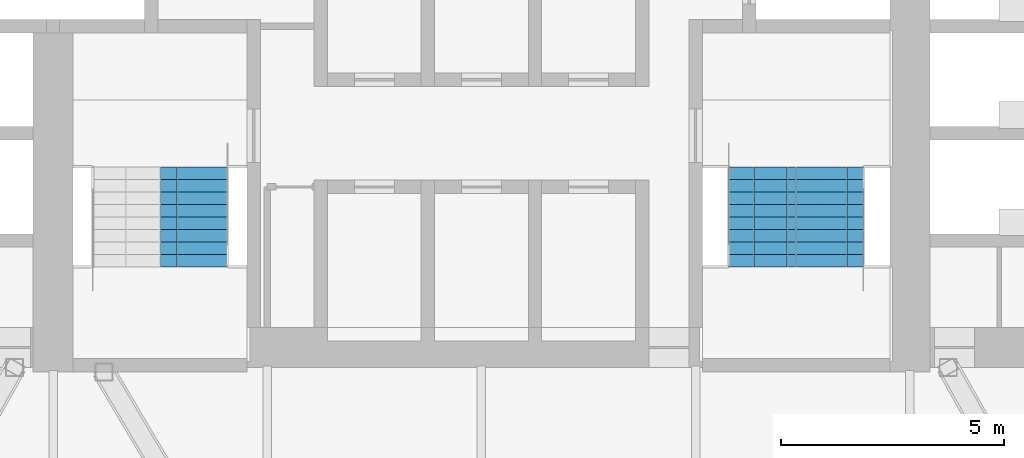
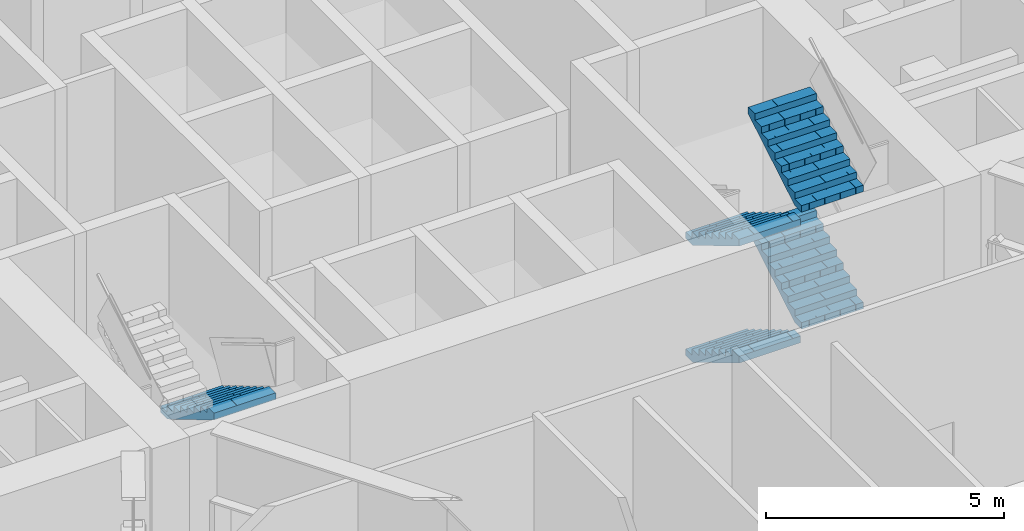
# One storey, part 21 of 27: 5 stair flights, 2 elements without a shape of their own.
"""IFC4 building model written with IfcOpenShell, lengths in metres."""

from ifc_helpers import new_model, si_unit, direction, frame, origin, place, context, subcontext, project, spatial, polyline, outline, extrude, material, type_object, element, aggregate, save


model = new_model("IFC4")

# Units and contexts
model_context = context("Model", 3, precision=1e-05, world=origin(), true_north=direction((0.0, 1.0)))
body_context = subcontext(model_context, "Body", "Model", "MODEL_VIEW")
ifc_project = project(units=[si_unit("LENGTHUNIT", "METRE"), si_unit("AREAUNIT", "SQUARE_METRE"), si_unit("VOLUMEUNIT", "CUBIC_METRE"), si_unit("PLANEANGLEUNIT", "RADIAN"), si_unit("MASSUNIT", "GRAM", prefix="KILO")], contexts=[model_context])

# Site, building, storey
site_placement = place(None, origin())
site = spatial("IfcSite", under=ifc_project, at=site_placement, CompositionType="ELEMENT")
building_placement = place(site_placement, origin())
building = spatial("IfcBuilding", under=site, at=building_placement, Name="Kolab Exchange Tower", CompositionType="ELEMENT")
storey_placement = place(building_placement, frame((0.0, 0.0, 127.39990234375)))
storey = spatial("IfcBuildingStorey", under=building, at=storey_placement, Name="L25", CompositionType="ELEMENT", Elevation=127.39990234375)

# Stair, stair flight
ifc_material = material(Name="Concrete C50/60", Category="concrete")
stair_type_1 = type_object("IfcStairType", Name="STAIR ST3 RISER 166.7", PredefinedType="DOUBLE_RETURN_STAIR", material=ifc_material)
stair_1_placement = place(storey_placement, origin())
stair_1 = element("IfcStair", 1, at=stair_1_placement, inside=storey, type_object=stair_type_1, Name="Stair 3", PredefinedType="DOUBLE_RETURN_STAIR")
stair_flight_type = type_object("IfcStairFlightType", Name="STAIR FLIGHT 1500 RISER 166.7", PredefinedType="STRAIGHT", material=ifc_material)
stair_flight_1_placement = place(storey_placement, frame((-6.43994140625, -5.550048828125, 3.0), z_axis=(0.0, 0.0, 1.0), x_axis=(0.0, -1.0, 0.0)))
stair_flight_1 = element("IfcStairFlight", 2, at=stair_flight_1_placement, type_object=stair_flight_type, Name="ST3 flight 3", NumberOfRisers=9, NumberOfTreads=8, PredefinedType="STRAIGHT", RiserHeight=0.166666667, TreadLength=0.28, context=body_context, shape_type="SweptSolid", body=[
    extrude(outline(polyline([(0.0, 0.0), (0.0, 0.166748046875), (0.280029296875, 0.166748046875), (0.280029296875, 0.333251953125), (0.56005859375, 0.333251953125), (0.56005859375, 0.5), (0.840087890625, 0.5), (0.840087890625, 0.666748046875), (1.1201171875, 0.666748046875), (1.1201171875, 0.833251953125), (1.39990234375, 0.833251953125), (1.39990234375, 1.0), (1.679931640625, 1.0), (1.679931640625, 1.166748046875), (1.9599609375, 1.166748046875), (1.9599609375, 1.333251953125), (2.239990234375, 1.333251953125), (2.239990234375, 1.5), (2.239990234375, 1.158935546875), (0.29296875, 0.0), (0.0, 0.0)])), frame((0.0, 0.75, 0.0), z_axis=(0.0, -1.0, 0.0), x_axis=(1.0, 0.0, 0.0)), (0.0, 0.0, 1.0), 0.185791015625),
    extrude(outline(polyline([(0.0, 0.0), (0.0, 0.166748046875), (0.280029296875, 0.166748046875), (0.280029296875, 0.333251953125), (0.56005859375, 0.333251953125), (0.56005859375, 0.5), (0.840087890625, 0.5), (0.840087890625, 0.666748046875), (1.1201171875, 0.666748046875), (1.1201171875, 0.833251953125), (1.39990234375, 0.833251953125), (1.39990234375, 1.0), (1.679931640625, 1.0), (1.679931640625, 1.166748046875), (1.9599609375, 1.166748046875), (1.9599609375, 1.333251953125), (2.239990234375, 1.333251953125), (2.239990234375, 1.5), (2.239990234375, 1.158935546875), (0.29296875, 0.0), (0.0, 0.0)])), frame((0.0, 0.562255859375, 0.0), z_axis=(0.0, -1.0, 0.0), x_axis=(1.0, 0.0, 0.0)), (0.0, 0.0, 1.0), 0.185791015625),
    extrude(outline(polyline([(0.0, 0.0), (0.0, 0.166748046875), (0.280029296875, 0.166748046875), (0.280029296875, 0.333251953125), (0.56005859375, 0.333251953125), (0.56005859375, 0.5), (0.840087890625, 0.5), (0.840087890625, 0.666748046875), (1.1201171875, 0.666748046875), (1.1201171875, 0.833251953125), (1.39990234375, 0.833251953125), (1.39990234375, 1.0), (1.679931640625, 1.0), (1.679931640625, 1.166748046875), (1.9599609375, 1.166748046875), (1.9599609375, 1.333251953125), (2.239990234375, 1.333251953125), (2.239990234375, 1.5), (2.239990234375, 1.158935546875), (0.29296875, 0.0), (0.0, 0.0)])), frame((0.0, 0.37451171875, 0.0), z_axis=(0.0, -1.0, 0.0), x_axis=(1.0, 0.0, 0.0)), (0.0, 0.0, 1.0), 0.185791015625),
    extrude(outline(polyline([(0.0, 0.0), (0.0, 0.166748046875), (0.280029296875, 0.166748046875), (0.280029296875, 0.333251953125), (0.56005859375, 0.333251953125), (0.56005859375, 0.5), (0.840087890625, 0.5), (0.840087890625, 0.666748046875), (1.1201171875, 0.666748046875), (1.1201171875, 0.833251953125), (1.39990234375, 0.833251953125), (1.39990234375, 1.0), (1.679931640625, 1.0), (1.679931640625, 1.166748046875), (1.9599609375, 1.166748046875), (1.9599609375, 1.333251953125), (2.239990234375, 1.333251953125), (2.239990234375, 1.5), (2.239990234375, 1.158935546875), (0.29296875, 0.0), (0.0, 0.0)])), frame((0.0, 0.186767578125, 0.0), z_axis=(0.0, -1.0, 0.0), x_axis=(1.0, 0.0, 0.0)), (0.0, 0.0, 1.0), 0.185791015625),
    extrude(outline(polyline([(0.0, 0.0), (0.0, 0.166748046875), (0.280029296875, 0.166748046875), (0.280029296875, 0.333251953125), (0.56005859375, 0.333251953125), (0.56005859375, 0.5), (0.840087890625, 0.5), (0.840087890625, 0.666748046875), (1.1201171875, 0.666748046875), (1.1201171875, 0.833251953125), (1.39990234375, 0.833251953125), (1.39990234375, 1.0), (1.679931640625, 1.0), (1.679931640625, 1.166748046875), (1.9599609375, 1.166748046875), (1.9599609375, 1.333251953125), (2.239990234375, 1.333251953125), (2.239990234375, 1.5), (2.239990234375, 1.158935546875), (0.29296875, 0.0), (0.0, 0.0)])), frame((0.0, -0.0009765625, 0.0), z_axis=(0.0, -1.0, 0.0), x_axis=(1.0, 0.0, 0.0)), (0.0, 0.0, 1.0), 0.185791015625),
    extrude(outline(polyline([(0.0, 0.0), (0.0, 0.166748046875), (0.280029296875, 0.166748046875), (0.280029296875, 0.333251953125), (0.56005859375, 0.333251953125), (0.56005859375, 0.5), (0.840087890625, 0.5), (0.840087890625, 0.666748046875), (1.1201171875, 0.666748046875), (1.1201171875, 0.833251953125), (1.39990234375, 0.833251953125), (1.39990234375, 1.0), (1.679931640625, 1.0), (1.679931640625, 1.166748046875), (1.9599609375, 1.166748046875), (1.9599609375, 1.333251953125), (2.239990234375, 1.333251953125), (2.239990234375, 1.5), (2.239990234375, 1.158935546875), (0.29296875, 0.0), (0.0, 0.0)])), frame((0.0, -0.188720703125, 0.0), z_axis=(0.0, -1.0, 0.0), x_axis=(1.0, 0.0, 0.0)), (0.0, 0.0, 1.0), 0.185791015625),
    extrude(outline(polyline([(0.0, 0.0), (0.0, 0.166748046875), (0.280029296875, 0.166748046875), (0.280029296875, 0.333251953125), (0.56005859375, 0.333251953125), (0.56005859375, 0.5), (0.840087890625, 0.5), (0.840087890625, 0.666748046875), (1.1201171875, 0.666748046875), (1.1201171875, 0.833251953125), (1.39990234375, 0.833251953125), (1.39990234375, 1.0), (1.679931640625, 1.0), (1.679931640625, 1.166748046875), (1.9599609375, 1.166748046875), (1.9599609375, 1.333251953125), (2.239990234375, 1.333251953125), (2.239990234375, 1.5), (2.239990234375, 1.158935546875), (0.29296875, 0.0), (0.0, 0.0)])), frame((0.0, -0.37646484375, 0.0), z_axis=(0.0, -1.0, 0.0), x_axis=(1.0, 0.0, 0.0)), (0.0, 0.0, 1.0), 0.185791015625),
    extrude(outline(polyline([(0.0, 0.0), (0.0, 0.166748046875), (0.280029296875, 0.166748046875), (0.280029296875, 0.333251953125), (0.56005859375, 0.333251953125), (0.56005859375, 0.5), (0.840087890625, 0.5), (0.840087890625, 0.666748046875), (1.1201171875, 0.666748046875), (1.1201171875, 0.833251953125), (1.39990234375, 0.833251953125), (1.39990234375, 1.0), (1.679931640625, 1.0), (1.679931640625, 1.166748046875), (1.9599609375, 1.166748046875), (1.9599609375, 1.333251953125), (2.239990234375, 1.333251953125), (2.239990234375, 1.5), (2.239990234375, 1.158935546875), (0.29296875, 0.0), (0.0, 0.0)])), frame((0.0, -0.564208984375, 0.0), z_axis=(0.0, -1.0, 0.0), x_axis=(1.0, 0.0, 0.0)), (0.0, 0.0, 1.0), 0.185791015625),
])
aggregate(stair_1, [stair_flight_1])

# Stair, stair flights
stair_type_2 = type_object("IfcStairType", Name="STAIR ST2 RISER 166.7", PredefinedType="DOUBLE_RETURN_STAIR", material=ifc_material)
stair_2_placement = place(storey_placement, origin())
stair_2 = element("IfcStair", 3, at=stair_2_placement, inside=storey, type_object=stair_type_2, Name="Stair 2", PredefinedType="DOUBLE_RETURN_STAIR")
stair_flight_2_placement = place(storey_placement, frame((6.2900390625, -5.550048828125, 0.0), z_axis=(0.0, 0.0, 1.0), x_axis=(0.0, -1.0, 0.0)))
stair_flight_2 = element("IfcStairFlight", 4, at=stair_flight_2_placement, type_object=stair_flight_type, Name="ST2 flight 1", NumberOfRisers=9, NumberOfTreads=8, PredefinedType="STRAIGHT", RiserHeight=0.166666667, TreadLength=0.28, context=body_context, shape_type="SweptSolid", body=[
    extrude(outline(polyline([(0.0, 0.0), (0.0, 0.166748046875), (0.280029296875, 0.166748046875), (0.280029296875, 0.333251953125), (0.56005859375, 0.333251953125), (0.56005859375, 0.5), (0.840087890625, 0.5), (0.840087890625, 0.666748046875), (1.1201171875, 0.666748046875), (1.1201171875, 0.833251953125), (1.39990234375, 0.833251953125), (1.39990234375, 1.0), (1.679931640625, 1.0), (1.679931640625, 1.166748046875), (1.9599609375, 1.166748046875), (1.9599609375, 1.333251953125), (2.239990234375, 1.333251953125), (2.239990234375, 1.5), (2.239990234375, 1.158935546875), (0.29296875, 0.0), (0.0, 0.0)])), frame((0.0, 0.75, 0.0), z_axis=(0.0, -1.0, 0.0), x_axis=(1.0, 0.0, 0.0)), (0.0, 0.0, 1.0), 0.185791015625),
    extrude(outline(polyline([(0.0, 0.0), (0.0, 0.166748046875), (0.280029296875, 0.166748046875), (0.280029296875, 0.333251953125), (0.56005859375, 0.333251953125), (0.56005859375, 0.5), (0.840087890625, 0.5), (0.840087890625, 0.666748046875), (1.1201171875, 0.666748046875), (1.1201171875, 0.833251953125), (1.39990234375, 0.833251953125), (1.39990234375, 1.0), (1.679931640625, 1.0), (1.679931640625, 1.166748046875), (1.9599609375, 1.166748046875), (1.9599609375, 1.333251953125), (2.239990234375, 1.333251953125), (2.239990234375, 1.5), (2.239990234375, 1.158935546875), (0.29296875, 0.0), (0.0, 0.0)])), frame((0.0, 0.562255859375, 0.0), z_axis=(0.0, -1.0, 0.0), x_axis=(1.0, 0.0, 0.0)), (0.0, 0.0, 1.0), 0.185791015625),
    extrude(outline(polyline([(0.0, 0.0), (0.0, 0.166748046875), (0.280029296875, 0.166748046875), (0.280029296875, 0.333251953125), (0.56005859375, 0.333251953125), (0.56005859375, 0.5), (0.840087890625, 0.5), (0.840087890625, 0.666748046875), (1.1201171875, 0.666748046875), (1.1201171875, 0.833251953125), (1.39990234375, 0.833251953125), (1.39990234375, 1.0), (1.679931640625, 1.0), (1.679931640625, 1.166748046875), (1.9599609375, 1.166748046875), (1.9599609375, 1.333251953125), (2.239990234375, 1.333251953125), (2.239990234375, 1.5), (2.239990234375, 1.158935546875), (0.29296875, 0.0), (0.0, 0.0)])), frame((0.0, 0.37451171875, 0.0), z_axis=(0.0, -1.0, 0.0), x_axis=(1.0, 0.0, 0.0)), (0.0, 0.0, 1.0), 0.185791015625),
    extrude(outline(polyline([(0.0, 0.0), (0.0, 0.166748046875), (0.280029296875, 0.166748046875), (0.280029296875, 0.333251953125), (0.56005859375, 0.333251953125), (0.56005859375, 0.5), (0.840087890625, 0.5), (0.840087890625, 0.666748046875), (1.1201171875, 0.666748046875), (1.1201171875, 0.833251953125), (1.39990234375, 0.833251953125), (1.39990234375, 1.0), (1.679931640625, 1.0), (1.679931640625, 1.166748046875), (1.9599609375, 1.166748046875), (1.9599609375, 1.333251953125), (2.239990234375, 1.333251953125), (2.239990234375, 1.5), (2.239990234375, 1.158935546875), (0.29296875, 0.0), (0.0, 0.0)])), frame((0.0, 0.186767578125, 0.0), z_axis=(0.0, -1.0, 0.0), x_axis=(1.0, 0.0, 0.0)), (0.0, 0.0, 1.0), 0.185791015625),
    extrude(outline(polyline([(0.0, 0.0), (0.0, 0.166748046875), (0.280029296875, 0.166748046875), (0.280029296875, 0.333251953125), (0.56005859375, 0.333251953125), (0.56005859375, 0.5), (0.840087890625, 0.5), (0.840087890625, 0.666748046875), (1.1201171875, 0.666748046875), (1.1201171875, 0.833251953125), (1.39990234375, 0.833251953125), (1.39990234375, 1.0), (1.679931640625, 1.0), (1.679931640625, 1.166748046875), (1.9599609375, 1.166748046875), (1.9599609375, 1.333251953125), (2.239990234375, 1.333251953125), (2.239990234375, 1.5), (2.239990234375, 1.158935546875), (0.29296875, 0.0), (0.0, 0.0)])), frame((0.0, -0.0009765625, 0.0), z_axis=(0.0, -1.0, 0.0), x_axis=(1.0, 0.0, 0.0)), (0.0, 0.0, 1.0), 0.185791015625),
    extrude(outline(polyline([(0.0, 0.0), (0.0, 0.166748046875), (0.280029296875, 0.166748046875), (0.280029296875, 0.333251953125), (0.56005859375, 0.333251953125), (0.56005859375, 0.5), (0.840087890625, 0.5), (0.840087890625, 0.666748046875), (1.1201171875, 0.666748046875), (1.1201171875, 0.833251953125), (1.39990234375, 0.833251953125), (1.39990234375, 1.0), (1.679931640625, 1.0), (1.679931640625, 1.166748046875), (1.9599609375, 1.166748046875), (1.9599609375, 1.333251953125), (2.239990234375, 1.333251953125), (2.239990234375, 1.5), (2.239990234375, 1.158935546875), (0.29296875, 0.0), (0.0, 0.0)])), frame((0.0, -0.188720703125, 0.0), z_axis=(0.0, -1.0, 0.0), x_axis=(1.0, 0.0, 0.0)), (0.0, 0.0, 1.0), 0.185791015625),
    extrude(outline(polyline([(0.0, 0.0), (0.0, 0.166748046875), (0.280029296875, 0.166748046875), (0.280029296875, 0.333251953125), (0.56005859375, 0.333251953125), (0.56005859375, 0.5), (0.840087890625, 0.5), (0.840087890625, 0.666748046875), (1.1201171875, 0.666748046875), (1.1201171875, 0.833251953125), (1.39990234375, 0.833251953125), (1.39990234375, 1.0), (1.679931640625, 1.0), (1.679931640625, 1.166748046875), (1.9599609375, 1.166748046875), (1.9599609375, 1.333251953125), (2.239990234375, 1.333251953125), (2.239990234375, 1.5), (2.239990234375, 1.158935546875), (0.29296875, 0.0), (0.0, 0.0)])), frame((0.0, -0.37646484375, 0.0), z_axis=(0.0, -1.0, 0.0), x_axis=(1.0, 0.0, 0.0)), (0.0, 0.0, 1.0), 0.185791015625),
    extrude(outline(polyline([(0.0, 0.0), (0.0, 0.166748046875), (0.280029296875, 0.166748046875), (0.280029296875, 0.333251953125), (0.56005859375, 0.333251953125), (0.56005859375, 0.5), (0.840087890625, 0.5), (0.840087890625, 0.666748046875), (1.1201171875, 0.666748046875), (1.1201171875, 0.833251953125), (1.39990234375, 0.833251953125), (1.39990234375, 1.0), (1.679931640625, 1.0), (1.679931640625, 1.166748046875), (1.9599609375, 1.166748046875), (1.9599609375, 1.333251953125), (2.239990234375, 1.333251953125), (2.239990234375, 1.5), (2.239990234375, 1.158935546875), (0.29296875, 0.0), (0.0, 0.0)])), frame((0.0, -0.564208984375, 0.0), z_axis=(0.0, -1.0, 0.0), x_axis=(1.0, 0.0, 0.0)), (0.0, 0.0, 1.0), 0.185791015625),
])
stair_flight_3_placement = place(storey_placement, frame((7.81005859375, -7.7900390625, 1.5), z_axis=(0.0, 0.0, 1.0), x_axis=(0.0, 1.0, 0.0)))
stair_flight_3 = element("IfcStairFlight", 5, at=stair_flight_3_placement, type_object=stair_flight_type, Name="ST2 flight 2", NumberOfRisers=9, NumberOfTreads=8, PredefinedType="STRAIGHT", RiserHeight=0.166666667, TreadLength=0.28, context=body_context, shape_type="SweptSolid", body=[
    extrude(outline(polyline([(0.0, 0.0), (0.0, 0.166748046875), (0.280029296875, 0.166748046875), (0.280029296875, 0.333251953125), (0.56005859375, 0.333251953125), (0.56005859375, 0.5), (0.840087890625, 0.5), (0.840087890625, 0.666748046875), (1.1201171875, 0.666748046875), (1.1201171875, 0.833251953125), (1.39990234375, 0.833251953125), (1.39990234375, 1.0), (1.679931640625, 1.0), (1.679931640625, 1.166748046875), (1.9599609375, 1.166748046875), (1.9599609375, 1.333251953125), (2.239990234375, 1.333251953125), (2.239990234375, 1.5), (2.239990234375, 1.158935546875), (0.29296875, 0.0), (0.0, 0.0)])), frame((0.0, 0.75, 0.0), z_axis=(0.0, -1.0, 0.0), x_axis=(1.0, 0.0, 0.0)), (0.0, 0.0, 1.0), 0.185791015625),
    extrude(outline(polyline([(0.0, 0.0), (0.0, 0.166748046875), (0.280029296875, 0.166748046875), (0.280029296875, 0.333251953125), (0.56005859375, 0.333251953125), (0.56005859375, 0.5), (0.840087890625, 0.5), (0.840087890625, 0.666748046875), (1.1201171875, 0.666748046875), (1.1201171875, 0.833251953125), (1.39990234375, 0.833251953125), (1.39990234375, 1.0), (1.679931640625, 1.0), (1.679931640625, 1.166748046875), (1.9599609375, 1.166748046875), (1.9599609375, 1.333251953125), (2.239990234375, 1.333251953125), (2.239990234375, 1.5), (2.239990234375, 1.158935546875), (0.29296875, 0.0), (0.0, 0.0)])), frame((0.0, 0.562255859375, 0.0), z_axis=(0.0, -1.0, 0.0), x_axis=(1.0, 0.0, 0.0)), (0.0, 0.0, 1.0), 0.185791015625),
    extrude(outline(polyline([(0.0, 0.0), (0.0, 0.166748046875), (0.280029296875, 0.166748046875), (0.280029296875, 0.333251953125), (0.56005859375, 0.333251953125), (0.56005859375, 0.5), (0.840087890625, 0.5), (0.840087890625, 0.666748046875), (1.1201171875, 0.666748046875), (1.1201171875, 0.833251953125), (1.39990234375, 0.833251953125), (1.39990234375, 1.0), (1.679931640625, 1.0), (1.679931640625, 1.166748046875), (1.9599609375, 1.166748046875), (1.9599609375, 1.333251953125), (2.239990234375, 1.333251953125), (2.239990234375, 1.5), (2.239990234375, 1.158935546875), (0.29296875, 0.0), (0.0, 0.0)])), frame((0.0, 0.37451171875, 0.0), z_axis=(0.0, -1.0, 0.0), x_axis=(1.0, 0.0, 0.0)), (0.0, 0.0, 1.0), 0.185791015625),
    extrude(outline(polyline([(0.0, 0.0), (0.0, 0.166748046875), (0.280029296875, 0.166748046875), (0.280029296875, 0.333251953125), (0.56005859375, 0.333251953125), (0.56005859375, 0.5), (0.840087890625, 0.5), (0.840087890625, 0.666748046875), (1.1201171875, 0.666748046875), (1.1201171875, 0.833251953125), (1.39990234375, 0.833251953125), (1.39990234375, 1.0), (1.679931640625, 1.0), (1.679931640625, 1.166748046875), (1.9599609375, 1.166748046875), (1.9599609375, 1.333251953125), (2.239990234375, 1.333251953125), (2.239990234375, 1.5), (2.239990234375, 1.158935546875), (0.29296875, 0.0), (0.0, 0.0)])), frame((0.0, 0.186767578125, 0.0), z_axis=(0.0, -1.0, 0.0), x_axis=(1.0, 0.0, 0.0)), (0.0, 0.0, 1.0), 0.185791015625),
    extrude(outline(polyline([(0.0, 0.0), (0.0, 0.166748046875), (0.280029296875, 0.166748046875), (0.280029296875, 0.333251953125), (0.56005859375, 0.333251953125), (0.56005859375, 0.5), (0.840087890625, 0.5), (0.840087890625, 0.666748046875), (1.1201171875, 0.666748046875), (1.1201171875, 0.833251953125), (1.39990234375, 0.833251953125), (1.39990234375, 1.0), (1.679931640625, 1.0), (1.679931640625, 1.166748046875), (1.9599609375, 1.166748046875), (1.9599609375, 1.333251953125), (2.239990234375, 1.333251953125), (2.239990234375, 1.5), (2.239990234375, 1.158935546875), (0.29296875, 0.0), (0.0, 0.0)])), frame((0.0, -0.0009765625, 0.0), z_axis=(0.0, -1.0, 0.0), x_axis=(1.0, 0.0, 0.0)), (0.0, 0.0, 1.0), 0.185791015625),
    extrude(outline(polyline([(0.0, 0.0), (0.0, 0.166748046875), (0.280029296875, 0.166748046875), (0.280029296875, 0.333251953125), (0.56005859375, 0.333251953125), (0.56005859375, 0.5), (0.840087890625, 0.5), (0.840087890625, 0.666748046875), (1.1201171875, 0.666748046875), (1.1201171875, 0.833251953125), (1.39990234375, 0.833251953125), (1.39990234375, 1.0), (1.679931640625, 1.0), (1.679931640625, 1.166748046875), (1.9599609375, 1.166748046875), (1.9599609375, 1.333251953125), (2.239990234375, 1.333251953125), (2.239990234375, 1.5), (2.239990234375, 1.158935546875), (0.29296875, 0.0), (0.0, 0.0)])), frame((0.0, -0.188720703125, 0.0), z_axis=(0.0, -1.0, 0.0), x_axis=(1.0, 0.0, 0.0)), (0.0, 0.0, 1.0), 0.185791015625),
    extrude(outline(polyline([(0.0, 0.0), (0.0, 0.166748046875), (0.280029296875, 0.166748046875), (0.280029296875, 0.333251953125), (0.56005859375, 0.333251953125), (0.56005859375, 0.5), (0.840087890625, 0.5), (0.840087890625, 0.666748046875), (1.1201171875, 0.666748046875), (1.1201171875, 0.833251953125), (1.39990234375, 0.833251953125), (1.39990234375, 1.0), (1.679931640625, 1.0), (1.679931640625, 1.166748046875), (1.9599609375, 1.166748046875), (1.9599609375, 1.333251953125), (2.239990234375, 1.333251953125), (2.239990234375, 1.5), (2.239990234375, 1.158935546875), (0.29296875, 0.0), (0.0, 0.0)])), frame((0.0, -0.37646484375, 0.0), z_axis=(0.0, -1.0, 0.0), x_axis=(1.0, 0.0, 0.0)), (0.0, 0.0, 1.0), 0.185791015625),
    extrude(outline(polyline([(0.0, 0.0), (0.0, 0.166748046875), (0.280029296875, 0.166748046875), (0.280029296875, 0.333251953125), (0.56005859375, 0.333251953125), (0.56005859375, 0.5), (0.840087890625, 0.5), (0.840087890625, 0.666748046875), (1.1201171875, 0.666748046875), (1.1201171875, 0.833251953125), (1.39990234375, 0.833251953125), (1.39990234375, 1.0), (1.679931640625, 1.0), (1.679931640625, 1.166748046875), (1.9599609375, 1.166748046875), (1.9599609375, 1.333251953125), (2.239990234375, 1.333251953125), (2.239990234375, 1.5), (2.239990234375, 1.158935546875), (0.29296875, 0.0), (0.0, 0.0)])), frame((0.0, -0.564208984375, 0.0), z_axis=(0.0, -1.0, 0.0), x_axis=(1.0, 0.0, 0.0)), (0.0, 0.0, 1.0), 0.185791015625),
])
stair_flight_4_placement = place(storey_placement, frame((6.2900390625, -5.550048828125, 3.0), z_axis=(0.0, 0.0, 1.0), x_axis=(0.0, -1.0, 0.0)))
stair_flight_4 = element("IfcStairFlight", 6, at=stair_flight_4_placement, type_object=stair_flight_type, Name="ST2 flight 3", NumberOfRisers=9, NumberOfTreads=8, PredefinedType="STRAIGHT", RiserHeight=0.166666667, TreadLength=0.28, context=body_context, shape_type="SweptSolid", body=[
    extrude(outline(polyline([(0.0, 0.0), (0.0, 0.166748046875), (0.280029296875, 0.166748046875), (0.280029296875, 0.333251953125), (0.56005859375, 0.333251953125), (0.56005859375, 0.5), (0.840087890625, 0.5), (0.840087890625, 0.666748046875), (1.1201171875, 0.666748046875), (1.1201171875, 0.833251953125), (1.39990234375, 0.833251953125), (1.39990234375, 1.0), (1.679931640625, 1.0), (1.679931640625, 1.166748046875), (1.9599609375, 1.166748046875), (1.9599609375, 1.333251953125), (2.239990234375, 1.333251953125), (2.239990234375, 1.5), (2.239990234375, 1.158935546875), (0.29296875, 0.0), (0.0, 0.0)])), frame((0.0, 0.75, 0.0), z_axis=(0.0, -1.0, 0.0), x_axis=(1.0, 0.0, 0.0)), (0.0, 0.0, 1.0), 0.185791015625),
    extrude(outline(polyline([(0.0, 0.0), (0.0, 0.166748046875), (0.280029296875, 0.166748046875), (0.280029296875, 0.333251953125), (0.56005859375, 0.333251953125), (0.56005859375, 0.5), (0.840087890625, 0.5), (0.840087890625, 0.666748046875), (1.1201171875, 0.666748046875), (1.1201171875, 0.833251953125), (1.39990234375, 0.833251953125), (1.39990234375, 1.0), (1.679931640625, 1.0), (1.679931640625, 1.166748046875), (1.9599609375, 1.166748046875), (1.9599609375, 1.333251953125), (2.239990234375, 1.333251953125), (2.239990234375, 1.5), (2.239990234375, 1.158935546875), (0.29296875, 0.0), (0.0, 0.0)])), frame((0.0, 0.562255859375, 0.0), z_axis=(0.0, -1.0, 0.0), x_axis=(1.0, 0.0, 0.0)), (0.0, 0.0, 1.0), 0.185791015625),
    extrude(outline(polyline([(0.0, 0.0), (0.0, 0.166748046875), (0.280029296875, 0.166748046875), (0.280029296875, 0.333251953125), (0.56005859375, 0.333251953125), (0.56005859375, 0.5), (0.840087890625, 0.5), (0.840087890625, 0.666748046875), (1.1201171875, 0.666748046875), (1.1201171875, 0.833251953125), (1.39990234375, 0.833251953125), (1.39990234375, 1.0), (1.679931640625, 1.0), (1.679931640625, 1.166748046875), (1.9599609375, 1.166748046875), (1.9599609375, 1.333251953125), (2.239990234375, 1.333251953125), (2.239990234375, 1.5), (2.239990234375, 1.158935546875), (0.29296875, 0.0), (0.0, 0.0)])), frame((0.0, 0.37451171875, 0.0), z_axis=(0.0, -1.0, 0.0), x_axis=(1.0, 0.0, 0.0)), (0.0, 0.0, 1.0), 0.185791015625),
    extrude(outline(polyline([(0.0, 0.0), (0.0, 0.166748046875), (0.280029296875, 0.166748046875), (0.280029296875, 0.333251953125), (0.56005859375, 0.333251953125), (0.56005859375, 0.5), (0.840087890625, 0.5), (0.840087890625, 0.666748046875), (1.1201171875, 0.666748046875), (1.1201171875, 0.833251953125), (1.39990234375, 0.833251953125), (1.39990234375, 1.0), (1.679931640625, 1.0), (1.679931640625, 1.166748046875), (1.9599609375, 1.166748046875), (1.9599609375, 1.333251953125), (2.239990234375, 1.333251953125), (2.239990234375, 1.5), (2.239990234375, 1.158935546875), (0.29296875, 0.0), (0.0, 0.0)])), frame((0.0, 0.186767578125, 0.0), z_axis=(0.0, -1.0, 0.0), x_axis=(1.0, 0.0, 0.0)), (0.0, 0.0, 1.0), 0.185791015625),
    extrude(outline(polyline([(0.0, 0.0), (0.0, 0.166748046875), (0.280029296875, 0.166748046875), (0.280029296875, 0.333251953125), (0.56005859375, 0.333251953125), (0.56005859375, 0.5), (0.840087890625, 0.5), (0.840087890625, 0.666748046875), (1.1201171875, 0.666748046875), (1.1201171875, 0.833251953125), (1.39990234375, 0.833251953125), (1.39990234375, 1.0), (1.679931640625, 1.0), (1.679931640625, 1.166748046875), (1.9599609375, 1.166748046875), (1.9599609375, 1.333251953125), (2.239990234375, 1.333251953125), (2.239990234375, 1.5), (2.239990234375, 1.158935546875), (0.29296875, 0.0), (0.0, 0.0)])), frame((0.0, -0.0009765625, 0.0), z_axis=(0.0, -1.0, 0.0), x_axis=(1.0, 0.0, 0.0)), (0.0, 0.0, 1.0), 0.185791015625),
    extrude(outline(polyline([(0.0, 0.0), (0.0, 0.166748046875), (0.280029296875, 0.166748046875), (0.280029296875, 0.333251953125), (0.56005859375, 0.333251953125), (0.56005859375, 0.5), (0.840087890625, 0.5), (0.840087890625, 0.666748046875), (1.1201171875, 0.666748046875), (1.1201171875, 0.833251953125), (1.39990234375, 0.833251953125), (1.39990234375, 1.0), (1.679931640625, 1.0), (1.679931640625, 1.166748046875), (1.9599609375, 1.166748046875), (1.9599609375, 1.333251953125), (2.239990234375, 1.333251953125), (2.239990234375, 1.5), (2.239990234375, 1.158935546875), (0.29296875, 0.0), (0.0, 0.0)])), frame((0.0, -0.188720703125, 0.0), z_axis=(0.0, -1.0, 0.0), x_axis=(1.0, 0.0, 0.0)), (0.0, 0.0, 1.0), 0.185791015625),
    extrude(outline(polyline([(0.0, 0.0), (0.0, 0.166748046875), (0.280029296875, 0.166748046875), (0.280029296875, 0.333251953125), (0.56005859375, 0.333251953125), (0.56005859375, 0.5), (0.840087890625, 0.5), (0.840087890625, 0.666748046875), (1.1201171875, 0.666748046875), (1.1201171875, 0.833251953125), (1.39990234375, 0.833251953125), (1.39990234375, 1.0), (1.679931640625, 1.0), (1.679931640625, 1.166748046875), (1.9599609375, 1.166748046875), (1.9599609375, 1.333251953125), (2.239990234375, 1.333251953125), (2.239990234375, 1.5), (2.239990234375, 1.158935546875), (0.29296875, 0.0), (0.0, 0.0)])), frame((0.0, -0.37646484375, 0.0), z_axis=(0.0, -1.0, 0.0), x_axis=(1.0, 0.0, 0.0)), (0.0, 0.0, 1.0), 0.185791015625),
    extrude(outline(polyline([(0.0, 0.0), (0.0, 0.166748046875), (0.280029296875, 0.166748046875), (0.280029296875, 0.333251953125), (0.56005859375, 0.333251953125), (0.56005859375, 0.5), (0.840087890625, 0.5), (0.840087890625, 0.666748046875), (1.1201171875, 0.666748046875), (1.1201171875, 0.833251953125), (1.39990234375, 0.833251953125), (1.39990234375, 1.0), (1.679931640625, 1.0), (1.679931640625, 1.166748046875), (1.9599609375, 1.166748046875), (1.9599609375, 1.333251953125), (2.239990234375, 1.333251953125), (2.239990234375, 1.5), (2.239990234375, 1.158935546875), (0.29296875, 0.0), (0.0, 0.0)])), frame((0.0, -0.564208984375, 0.0), z_axis=(0.0, -1.0, 0.0), x_axis=(1.0, 0.0, 0.0)), (0.0, 0.0, 1.0), 0.185791015625),
])
stair_flight_5_placement = place(storey_placement, frame((7.81005859375, -7.7900390625, 4.5), z_axis=(0.0, 0.0, 1.0), x_axis=(0.0, 1.0, 0.0)))
stair_flight_5 = element("IfcStairFlight", 7, at=stair_flight_5_placement, type_object=stair_flight_type, Name="ST2 flight 4", NumberOfRisers=9, NumberOfTreads=8, PredefinedType="STRAIGHT", RiserHeight=0.166666667, TreadLength=0.28, context=body_context, shape_type="SweptSolid", body=[
    extrude(outline(polyline([(0.0, 0.0), (0.0, 0.166748046875), (0.280029296875, 0.166748046875), (0.280029296875, 0.333251953125), (0.56005859375, 0.333251953125), (0.56005859375, 0.5), (0.840087890625, 0.5), (0.840087890625, 0.666748046875), (1.1201171875, 0.666748046875), (1.1201171875, 0.833251953125), (1.39990234375, 0.833251953125), (1.39990234375, 1.0), (1.679931640625, 1.0), (1.679931640625, 1.166748046875), (1.9599609375, 1.166748046875), (1.9599609375, 1.333251953125), (2.239990234375, 1.333251953125), (2.239990234375, 1.5), (2.239990234375, 1.158935546875), (0.29296875, 0.0), (0.0, 0.0)])), frame((0.0, 0.75, 0.0), z_axis=(0.0, -1.0, 0.0), x_axis=(1.0, 0.0, 0.0)), (0.0, 0.0, 1.0), 0.185791015625),
    extrude(outline(polyline([(0.0, 0.0), (0.0, 0.166748046875), (0.280029296875, 0.166748046875), (0.280029296875, 0.333251953125), (0.56005859375, 0.333251953125), (0.56005859375, 0.5), (0.840087890625, 0.5), (0.840087890625, 0.666748046875), (1.1201171875, 0.666748046875), (1.1201171875, 0.833251953125), (1.39990234375, 0.833251953125), (1.39990234375, 1.0), (1.679931640625, 1.0), (1.679931640625, 1.166748046875), (1.9599609375, 1.166748046875), (1.9599609375, 1.333251953125), (2.239990234375, 1.333251953125), (2.239990234375, 1.5), (2.239990234375, 1.158935546875), (0.29296875, 0.0), (0.0, 0.0)])), frame((0.0, 0.562255859375, 0.0), z_axis=(0.0, -1.0, 0.0), x_axis=(1.0, 0.0, 0.0)), (0.0, 0.0, 1.0), 0.185791015625),
    extrude(outline(polyline([(0.0, 0.0), (0.0, 0.166748046875), (0.280029296875, 0.166748046875), (0.280029296875, 0.333251953125), (0.56005859375, 0.333251953125), (0.56005859375, 0.5), (0.840087890625, 0.5), (0.840087890625, 0.666748046875), (1.1201171875, 0.666748046875), (1.1201171875, 0.833251953125), (1.39990234375, 0.833251953125), (1.39990234375, 1.0), (1.679931640625, 1.0), (1.679931640625, 1.166748046875), (1.9599609375, 1.166748046875), (1.9599609375, 1.333251953125), (2.239990234375, 1.333251953125), (2.239990234375, 1.5), (2.239990234375, 1.158935546875), (0.29296875, 0.0), (0.0, 0.0)])), frame((0.0, 0.37451171875, 0.0), z_axis=(0.0, -1.0, 0.0), x_axis=(1.0, 0.0, 0.0)), (0.0, 0.0, 1.0), 0.185791015625),
    extrude(outline(polyline([(0.0, 0.0), (0.0, 0.166748046875), (0.280029296875, 0.166748046875), (0.280029296875, 0.333251953125), (0.56005859375, 0.333251953125), (0.56005859375, 0.5), (0.840087890625, 0.5), (0.840087890625, 0.666748046875), (1.1201171875, 0.666748046875), (1.1201171875, 0.833251953125), (1.39990234375, 0.833251953125), (1.39990234375, 1.0), (1.679931640625, 1.0), (1.679931640625, 1.166748046875), (1.9599609375, 1.166748046875), (1.9599609375, 1.333251953125), (2.239990234375, 1.333251953125), (2.239990234375, 1.5), (2.239990234375, 1.158935546875), (0.29296875, 0.0), (0.0, 0.0)])), frame((0.0, 0.186767578125, 0.0), z_axis=(0.0, -1.0, 0.0), x_axis=(1.0, 0.0, 0.0)), (0.0, 0.0, 1.0), 0.185791015625),
    extrude(outline(polyline([(0.0, 0.0), (0.0, 0.166748046875), (0.280029296875, 0.166748046875), (0.280029296875, 0.333251953125), (0.56005859375, 0.333251953125), (0.56005859375, 0.5), (0.840087890625, 0.5), (0.840087890625, 0.666748046875), (1.1201171875, 0.666748046875), (1.1201171875, 0.833251953125), (1.39990234375, 0.833251953125), (1.39990234375, 1.0), (1.679931640625, 1.0), (1.679931640625, 1.166748046875), (1.9599609375, 1.166748046875), (1.9599609375, 1.333251953125), (2.239990234375, 1.333251953125), (2.239990234375, 1.5), (2.239990234375, 1.158935546875), (0.29296875, 0.0), (0.0, 0.0)])), frame((0.0, -0.0009765625, 0.0), z_axis=(0.0, -1.0, 0.0), x_axis=(1.0, 0.0, 0.0)), (0.0, 0.0, 1.0), 0.185791015625),
    extrude(outline(polyline([(0.0, 0.0), (0.0, 0.166748046875), (0.280029296875, 0.166748046875), (0.280029296875, 0.333251953125), (0.56005859375, 0.333251953125), (0.56005859375, 0.5), (0.840087890625, 0.5), (0.840087890625, 0.666748046875), (1.1201171875, 0.666748046875), (1.1201171875, 0.833251953125), (1.39990234375, 0.833251953125), (1.39990234375, 1.0), (1.679931640625, 1.0), (1.679931640625, 1.166748046875), (1.9599609375, 1.166748046875), (1.9599609375, 1.333251953125), (2.239990234375, 1.333251953125), (2.239990234375, 1.5), (2.239990234375, 1.158935546875), (0.29296875, 0.0), (0.0, 0.0)])), frame((0.0, -0.188720703125, 0.0), z_axis=(0.0, -1.0, 0.0), x_axis=(1.0, 0.0, 0.0)), (0.0, 0.0, 1.0), 0.185791015625),
    extrude(outline(polyline([(0.0, 0.0), (0.0, 0.166748046875), (0.280029296875, 0.166748046875), (0.280029296875, 0.333251953125), (0.56005859375, 0.333251953125), (0.56005859375, 0.5), (0.840087890625, 0.5), (0.840087890625, 0.666748046875), (1.1201171875, 0.666748046875), (1.1201171875, 0.833251953125), (1.39990234375, 0.833251953125), (1.39990234375, 1.0), (1.679931640625, 1.0), (1.679931640625, 1.166748046875), (1.9599609375, 1.166748046875), (1.9599609375, 1.333251953125), (2.239990234375, 1.333251953125), (2.239990234375, 1.5), (2.239990234375, 1.158935546875), (0.29296875, 0.0), (0.0, 0.0)])), frame((0.0, -0.37646484375, 0.0), z_axis=(0.0, -1.0, 0.0), x_axis=(1.0, 0.0, 0.0)), (0.0, 0.0, 1.0), 0.185791015625),
    extrude(outline(polyline([(0.0, 0.0), (0.0, 0.166748046875), (0.280029296875, 0.166748046875), (0.280029296875, 0.333251953125), (0.56005859375, 0.333251953125), (0.56005859375, 0.5), (0.840087890625, 0.5), (0.840087890625, 0.666748046875), (1.1201171875, 0.666748046875), (1.1201171875, 0.833251953125), (1.39990234375, 0.833251953125), (1.39990234375, 1.0), (1.679931640625, 1.0), (1.679931640625, 1.166748046875), (1.9599609375, 1.166748046875), (1.9599609375, 1.333251953125), (2.239990234375, 1.333251953125), (2.239990234375, 1.5), (2.239990234375, 1.158935546875), (0.29296875, 0.0), (0.0, 0.0)])), frame((0.0, -0.564208984375, 0.0), z_axis=(0.0, -1.0, 0.0), x_axis=(1.0, 0.0, 0.0)), (0.0, 0.0, 1.0), 0.185791015625),
])
aggregate(stair_2, [stair_flight_2, stair_flight_3, stair_flight_4, stair_flight_5])

save(model, "model.ifc")
